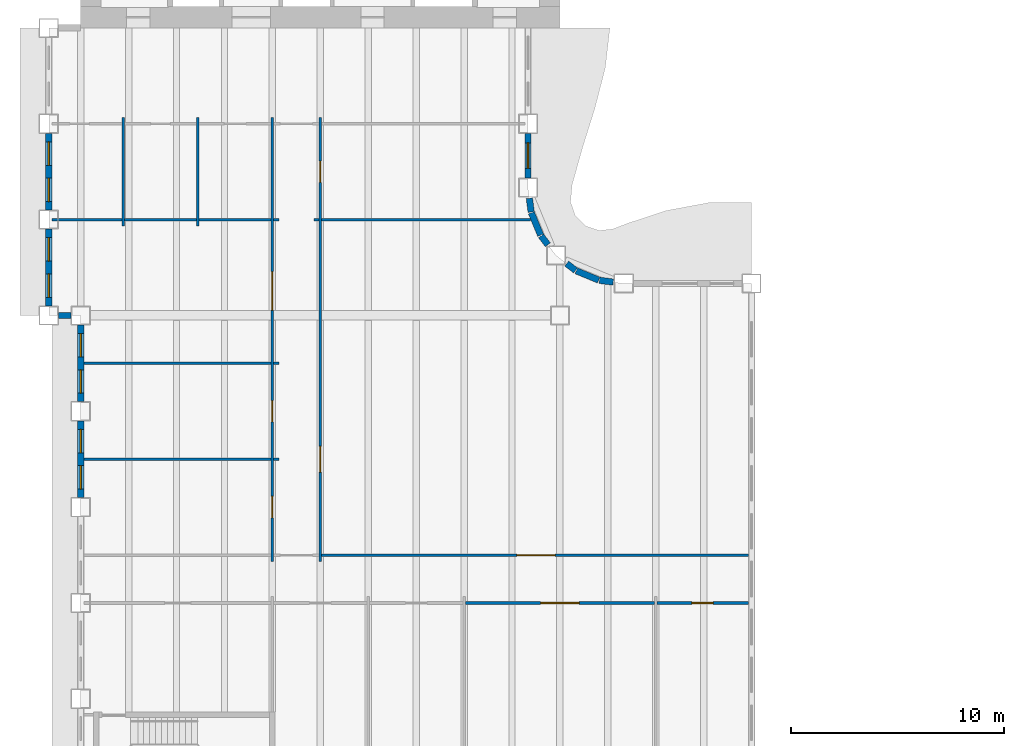
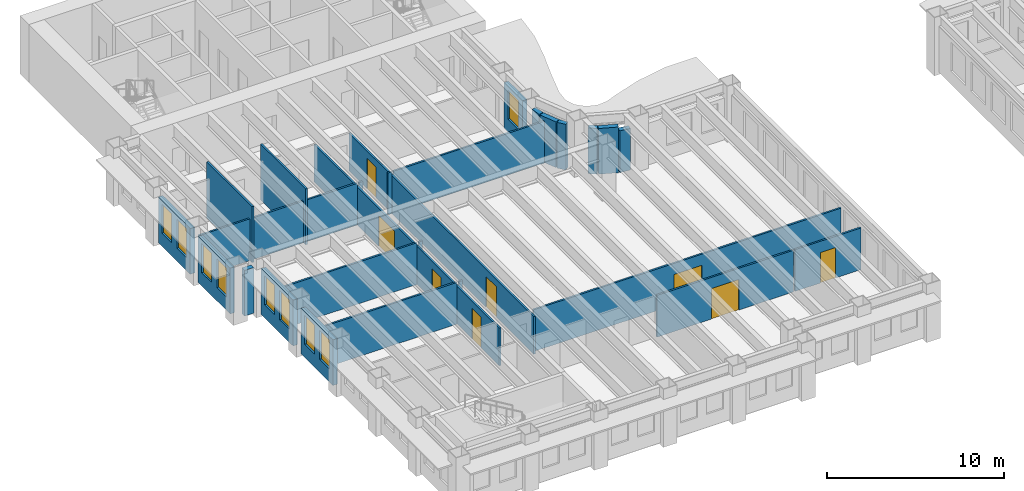
# One storey, part 4 of 13: 29 walls, 9 windows, 8 doors, 17 openings.
"""IFC4 building model written with IfcOpenShell, lengths in metres."""

from ifc_helpers import new_model, si_unit, direction, frame, frame_2d, origin, place, context, subcontext, project, spatial, rectangle, extrude, material, layer, layer_set, type_object, element, fill, save


model = new_model("IFC4")

# Units and contexts
model_context = context("Model", 3, precision=1e-05, world=origin(), true_north=direction((0.0, 1.0)))
body_context = subcontext(model_context, "Body", "Model", "MODEL_VIEW")
ifc_project = project(units=[si_unit("LENGTHUNIT", "METRE"), si_unit("AREAUNIT", "SQUARE_METRE"), si_unit("VOLUMEUNIT", "CUBIC_METRE"), si_unit("PLANEANGLEUNIT", "RADIAN"), si_unit("MASSUNIT", "GRAM", prefix="KILO")], contexts=[model_context])

# Site, building, storey
site_placement = place(None, origin())
site = spatial("IfcSite", under=ifc_project, at=site_placement, CompositionType="ELEMENT")
building_placement = place(site_placement, origin())
building = spatial("IfcBuilding", under=site, at=building_placement, Name="Sennacour Bend Tower", CompositionType="ELEMENT")
storey_placement = place(building_placement, frame((0.0, 0.0, 139.0)))
storey = spatial("IfcBuildingStorey", under=building, at=storey_placement, Name="L31", CompositionType="ELEMENT", Elevation=139.0)

# Walls
ifc_material_1 = material(Name="Plasterboard partition on steel studs", Category="steel")
ifc_layer_1 = layer(ifc_material_1, 0.1201171875, Name="Plasterboard partition on steel studs", Category="steel")
ifc_layer_set_1 = layer_set([ifc_layer_1], Name="Plasterboard partition on steel studs")
wall_type_1 = type_object("IfcWallType", Name="Partition 120", PredefinedType="PARTITIONING", material=ifc_layer_set_1)
for number, where, z_axis, x_axis, name in (
    (1, (2.0, 26.699951171875, 0.0), (0.0, 0.0, 1.0), (0.0, 1.0, 0.0), "P-L31-W004a"),
    (2, (5.5, 26.699951171875, 0.0), (0.0, 0.0, 1.0), (0.0, 1.0, 0.0), "P-L31-W008a"),
):
    element("IfcWall", number, at=place(storey_placement, frame(where, z_axis=z_axis, x_axis=x_axis)), inside=storey, type_object=wall_type_1, Name=name, PredefinedType="PARTITIONING", context=body_context, shape_type="SweptSolid", body=[
        extrude(rectangle(XDim=5.10009765625, YDim=0.1201171875, at=frame_2d((2.550048828125, 0.0))), origin(), (0.0, 0.0, 1.0), 3.85009765625),
    ])

# Wall, openings, doors
wall_1_placement = place(storey_placement, frame((9.0, 10.949951171875, 0.0), z_axis=(0.0, 0.0, 1.0), x_axis=(0.0, 1.0, 0.0)))
wall_1 = element("IfcWall", 3, at=wall_1_placement, inside=storey, type_object=wall_type_1, Name="P-L31-W013a", PredefinedType="PARTITIONING", context=body_context, shape_type="SweptSolid", body=[
    extrude(rectangle(XDim=20.85009765625, YDim=0.1201171875, at=frame_2d((10.425048828125, 0.0))), origin(), (0.0, 0.0, 1.0), 2.60009765625),
])
opening_1_placement = place(wall_1_placement, frame((2.050048828125, 0.0, 0.0)))
opening_1 = element("IfcOpeningElement", 4, at=opening_1_placement, cuts=wall_1, Name="Opening OD2", PredefinedType="OPENING", context=body_context, shape_type="SweptSolid", body=[
    extrude(rectangle(XDim=1.0, YDim=2.10009765625, at=frame_2d((0.5, 1.050048828125))), frame((0.0, 0.070068359375, 0.0), z_axis=(0.0, -1.0, 0.0), x_axis=(1.0, 0.0, 0.0)), (0.0, 0.0, 1.0), 0.14013671875),
])
opening_2_placement = place(wall_1_placement, frame((6.550048828125, 0.0, 0.0)))
opening_2 = element("IfcOpeningElement", 5, at=opening_2_placement, cuts=wall_1, Name="Opening OD2", PredefinedType="OPENING", context=body_context, shape_type="SweptSolid", body=[
    extrude(rectangle(XDim=1.0, YDim=2.10009765625, at=frame_2d((0.5, 1.050048828125))), frame((0.0, 0.070068359375, 0.0), z_axis=(0.0, -1.0, 0.0), x_axis=(1.0, 0.0, 0.0)), (0.0, 0.0, 1.0), 0.14013671875),
])
opening_3_placement = place(wall_1_placement, frame((11.804931640625, 0.0, 0.0)))
opening_3 = element("IfcOpeningElement", 6, at=opening_3_placement, cuts=wall_1, Name="Opening OD3", PredefinedType="OPENING", context=body_context, shape_type="SweptSolid", body=[
    extrude(rectangle(XDim=1.800048828125, YDim=2.10009765625, at=frame_2d((0.89990234375, 1.050048828125))), frame((0.0, 0.070068359375, 0.0), z_axis=(0.0, -1.0, 0.0), x_axis=(1.0, 0.0, 0.0)), (0.0, 0.0, 1.0), 0.14013671875),
])
ifc_material_2 = material(Name="Timber", Category="wood")
door_type_1 = type_object("IfcDoorType", Name="DR-OFFICE-1000", OperationType="NOTDEFINED", PredefinedType="DOOR", material=ifc_material_2)
door_1_placement = place(opening_1_placement, origin())
door_1 = element("IfcDoor", 7, at=door_1_placement, inside=storey, type_object=door_type_1, Name="Door", OperationType="SINGLE_SWING_LEFT", OverallHeight=2.10009765625, OverallWidth=1.0, PredefinedType="DOOR", context=body_context, shape_type="SweptSolid", body=[
    extrude(rectangle(XDim=1.0, YDim=2.10009765625, at=frame_2d((0.5, 1.050048828125))), frame((0.0, 0.02490234375, 0.0), z_axis=(0.0, -1.0, 0.0), x_axis=(1.0, 0.0, 0.0)), (0.0, 0.0, 1.0), 0.050048828125),
])
fill(opening_1, door_1)
door_2_placement = place(opening_2_placement, origin())
door_2 = element("IfcDoor", 8, at=door_2_placement, inside=storey, type_object=door_type_1, Name="Door", OperationType="SINGLE_SWING_LEFT", OverallHeight=2.10009765625, OverallWidth=1.0, PredefinedType="DOOR", context=body_context, shape_type="SweptSolid", body=[
    extrude(rectangle(XDim=1.0, YDim=2.10009765625, at=frame_2d((0.5, 1.050048828125))), frame((0.0, 0.02490234375, 0.0), z_axis=(0.0, -1.0, 0.0), x_axis=(1.0, 0.0, 0.0)), (0.0, 0.0, 1.0), 0.050048828125),
])
fill(opening_2, door_2)
door_type_2 = type_object("IfcDoorType", Name="DR-OFFICE-1800", OperationType="NOTDEFINED", PredefinedType="DOOR", material=ifc_material_2)
door_3_placement = place(opening_3_placement, origin())
door_3 = element("IfcDoor", 9, at=door_3_placement, inside=storey, type_object=door_type_2, Name="Door", OperationType="DOUBLE_DOOR_SINGLE_SWING", OverallHeight=2.10009765625, OverallWidth=1.800048828125, PredefinedType="DOOR", context=body_context, shape_type="SweptSolid", body=[
    extrude(rectangle(XDim=1.800048828125, YDim=2.10009765625, at=frame_2d((0.89990234375, 1.050048828125))), frame((0.0, 0.02490234375, 0.0), z_axis=(0.0, -1.0, 0.0), x_axis=(1.0, 0.0, 0.0)), (0.0, 0.0, 1.0), 0.050048828125),
])
fill(opening_3, door_3)

wall_2_placement = place(storey_placement, frame((11.25, 10.949951171875, 0.0), z_axis=(0.0, 0.0, 1.0), x_axis=(0.0, 1.0, 0.0)))
wall_2 = element("IfcWall", 10, at=wall_2_placement, inside=storey, type_object=wall_type_1, Name="P-L31-W015a", PredefinedType="PARTITIONING", context=body_context, shape_type="SweptSolid", body=[
    extrude(rectangle(XDim=20.85009765625, YDim=0.1201171875, at=frame_2d((10.425048828125, 0.0))), origin(), (0.0, 0.0, 1.0), 2.60009765625),
])
opening_4_placement = place(wall_2_placement, frame((17.800048828125, 0.0, 0.0)))
opening_4 = element("IfcOpeningElement", 11, at=opening_4_placement, cuts=wall_2, Name="Opening OD2", PredefinedType="OPENING", context=body_context, shape_type="SweptSolid", body=[
    extrude(rectangle(XDim=1.0, YDim=2.10009765625, at=frame_2d((0.5, 1.050048828125))), frame((0.0, 0.070068359375, 0.0), z_axis=(0.0, -1.0, 0.0), x_axis=(1.0, 0.0, 0.0)), (0.0, 0.0, 1.0), 0.14013671875),
])
opening_5_placement = place(wall_2_placement, frame((4.199951171875, 0.0, 0.0)))
opening_5 = element("IfcOpeningElement", 12, at=opening_5_placement, cuts=wall_2, Name="Opening OD", PredefinedType="OPENING", context=body_context, shape_type="SweptSolid", body=[
    extrude(rectangle(XDim=1.199951171875, YDim=2.10009765625, at=frame_2d((0.60009765625, 1.050048828125))), frame((0.0, 0.070068359375, 0.0), z_axis=(0.0, -1.0, 0.0), x_axis=(1.0, 0.0, 0.0)), (0.0, 0.0, 1.0), 0.14013671875),
])
door_4_placement = place(opening_4_placement, origin())
door_4 = element("IfcDoor", 13, at=door_4_placement, inside=storey, type_object=door_type_1, Name="Door", OperationType="SINGLE_SWING_RIGHT", OverallHeight=2.10009765625, OverallWidth=1.0, PredefinedType="DOOR", context=body_context, shape_type="SweptSolid", body=[
    extrude(rectangle(XDim=1.0, YDim=2.10009765625, at=frame_2d((0.5, 1.050048828125))), frame((0.0, 0.02490234375, 0.0), z_axis=(0.0, -1.0, 0.0), x_axis=(1.0, 0.0, 0.0)), (0.0, 0.0, 1.0), 0.050048828125),
])
fill(opening_4, door_4)
door_type_3 = type_object("IfcDoorType", Name="DR-OFFICE-1200", OperationType="NOTDEFINED", PredefinedType="DOOR", material=ifc_material_2)
door_5_placement = place(opening_5_placement, origin())
door_5 = element("IfcDoor", 14, at=door_5_placement, inside=storey, type_object=door_type_3, Name="Door", OperationType="SINGLE_SWING_LEFT", OverallHeight=2.10009765625, OverallWidth=1.199951171875, PredefinedType="DOOR", context=body_context, shape_type="SweptSolid", body=[
    extrude(rectangle(XDim=1.199951171875, YDim=2.10009765625, at=frame_2d((0.60009765625, 1.050048828125))), frame((0.0, 0.02490234375, 0.0), z_axis=(0.0, -1.0, 0.0), x_axis=(1.0, 0.0, 0.0)), (0.0, 0.0, 1.0), 0.050048828125),
])
fill(opening_5, door_5)

# Wall, opening, door
wall_3_placement = place(storey_placement, frame((18.06005859375, 9.0, 0.0), z_axis=(0.0, 0.0, 1.0), x_axis=(1.0, 0.0, 0.0)))
wall_3 = element("IfcWall", 15, at=wall_3_placement, inside=storey, type_object=wall_type_1, Name="P-L31-W053ad", PredefinedType="PARTITIONING", context=body_context, shape_type="SweptSolid", body=[
    extrude(rectangle(XDim=8.8798828125, YDim=0.1201171875, at=frame_2d((4.43994140625, 0.0))), origin(), (0.0, 0.0, 1.0), 2.8701171875),
])
opening_6_placement = place(wall_3_placement, frame((3.539794921875, 0.0, 0.0)))
opening_6 = element("IfcOpeningElement", 16, at=opening_6_placement, cuts=wall_3, Name="Opening OD3", PredefinedType="OPENING", context=body_context, shape_type="SweptSolid", body=[
    extrude(rectangle(XDim=1.800048828125, YDim=2.10009765625, at=frame_2d((0.89990234375, 1.050048828125))), frame((0.0, 0.070068359375, 0.0), z_axis=(0.0, -1.0, 0.0), x_axis=(1.0, 0.0, 0.0)), (0.0, 0.0, 1.0), 0.14013671875),
])
door_6_placement = place(opening_6_placement, origin())
door_6 = element("IfcDoor", 17, at=door_6_placement, inside=storey, type_object=door_type_2, Name="Door", OperationType="DOUBLE_DOOR_SINGLE_SWING", OverallHeight=2.10009765625, OverallWidth=1.800048828125, PredefinedType="DOOR", context=body_context, shape_type="SweptSolid", body=[
    extrude(rectangle(XDim=1.800048828125, YDim=2.10009765625, at=frame_2d((0.89990234375, 1.050048828125))), frame((0.0, 0.02490234375, 0.0), z_axis=(0.0, -1.0, 0.0), x_axis=(1.0, 0.0, 0.0)), (0.0, 0.0, 1.0), 0.050048828125),
])
fill(opening_6, door_6)

wall_4_placement = place(storey_placement, frame((27.06005859375, 9.0, 0.0), z_axis=(0.0, 0.0, 1.0), x_axis=(1.0, 0.0, 0.0)))
wall_4 = element("IfcWall", 18, at=wall_4_placement, inside=storey, type_object=wall_type_1, Name="P-L31-W053ae", PredefinedType="PARTITIONING", context=body_context, shape_type="SweptSolid", body=[
    extrude(rectangle(XDim=4.2900390625, YDim=0.1201171875, at=frame_2d((2.14501953125, 0.0))), origin(), (0.0, 0.0, 1.0), 2.8701171875),
])
opening_7_placement = place(wall_4_placement, frame((1.635009765625, 0.0, 0.0)))
opening_7 = element("IfcOpeningElement", 19, at=opening_7_placement, cuts=wall_4, Name="Opening OD2", PredefinedType="OPENING", context=body_context, shape_type="SweptSolid", body=[
    extrude(rectangle(XDim=1.0, YDim=2.10009765625, at=frame_2d((0.5, 1.050048828125))), frame((0.0, 0.070068359375, 0.0), z_axis=(0.0, -1.0, 0.0), x_axis=(1.0, 0.0, 0.0)), (0.0, 0.0, 1.0), 0.14013671875),
])
door_7_placement = place(opening_7_placement, origin())
door_7 = element("IfcDoor", 20, at=door_7_placement, inside=storey, type_object=door_type_1, Name="Door", OperationType="SINGLE_SWING_LEFT", OverallHeight=2.10009765625, OverallWidth=1.0, PredefinedType="DOOR", context=body_context, shape_type="SweptSolid", body=[
    extrude(rectangle(XDim=1.0, YDim=2.10009765625, at=frame_2d((0.5, 1.050048828125))), frame((0.0, 0.02490234375, 0.0), z_axis=(0.0, -1.0, 0.0), x_axis=(1.0, 0.0, 0.0)), (0.0, 0.0, 1.0), 0.050048828125),
])
fill(opening_7, door_7)

wall_5_placement = place(storey_placement, frame((11.31005859375, 11.25, 0.0), z_axis=(0.0, 0.0, 1.0), x_axis=(1.0, 0.0, 0.0)))
wall_5 = element("IfcWall", 21, at=wall_5_placement, inside=storey, type_object=wall_type_1, Name="P-L31-W056ac", PredefinedType="PARTITIONING", context=body_context, shape_type="SweptSolid", body=[
    extrude(rectangle(XDim=20.0400390625, YDim=0.1201171875, at=frame_2d((10.02001953125, 0.0))), origin(), (0.0, 0.0, 1.0), 2.8701171875),
])
opening_8_placement = place(wall_5_placement, frame((9.164794921875, 0.0, 0.0)))
opening_8 = element("IfcOpeningElement", 22, at=opening_8_placement, cuts=wall_5, Name="Opening OD3", PredefinedType="OPENING", context=body_context, shape_type="SweptSolid", body=[
    extrude(rectangle(XDim=1.800048828125, YDim=2.10009765625, at=frame_2d((0.89990234375, 1.050048828125))), frame((0.0, 0.070068359375, 0.0), z_axis=(0.0, -1.0, 0.0), x_axis=(1.0, 0.0, 0.0)), (0.0, 0.0, 1.0), 0.14013671875),
])
door_8_placement = place(opening_8_placement, origin())
door_8 = element("IfcDoor", 23, at=door_8_placement, inside=storey, type_object=door_type_2, Name="Door", OperationType="DOUBLE_DOOR_SINGLE_SWING", OverallHeight=2.10009765625, OverallWidth=1.800048828125, PredefinedType="DOOR", context=body_context, shape_type="SweptSolid", body=[
    extrude(rectangle(XDim=1.800048828125, YDim=2.10009765625, at=frame_2d((0.89990234375, 1.050048828125))), frame((0.0, 0.02490234375, 0.0), z_axis=(0.0, -1.0, 0.0), x_axis=(1.0, 0.0, 0.0)), (0.0, 0.0, 1.0), 0.050048828125),
])
fill(opening_8, door_8)

# Walls
wall_6_placement = place(storey_placement, frame((0.14990234375, 15.75, 0.0), z_axis=(0.0, 0.0, 1.0), x_axis=(1.0, 0.0, 0.0)))
element("IfcWall", 24, at=wall_6_placement, inside=storey, type_object=wall_type_1, Name="P-L31-W059aa", PredefinedType="PARTITIONING", context=body_context, shape_type="SweptSolid", body=[
    extrude(rectangle(XDim=8.7900390625, YDim=0.1201171875, at=frame_2d((4.39501953125, 0.0))), origin(), (0.0, 0.0, 1.0), 2.8701171875),
])
wall_7_placement = place(storey_placement, frame((9.06005859375, 15.75, 0.0), z_axis=(0.0, 0.0, 1.0), x_axis=(1.0, 0.0, 0.0)))
element("IfcWall", 25, at=wall_7_placement, inside=storey, type_object=wall_type_1, Name="P-L31-W059ab", PredefinedType="PARTITIONING", context=body_context, shape_type="SweptSolid", body=[
    extrude(rectangle(XDim=0.239990234375, YDim=0.1201171875, at=frame_2d((0.1201171875, 0.0))), origin(), (0.0, 0.0, 1.0), 2.8701171875),
])
wall_8_placement = place(storey_placement, frame((0.14990234375, 20.25, 0.0), z_axis=(0.0, 0.0, 1.0), x_axis=(1.0, 0.0, 0.0)))
element("IfcWall", 26, at=wall_8_placement, inside=storey, type_object=wall_type_1, Name="P-L31-W063aa", PredefinedType="PARTITIONING", context=body_context, shape_type="SweptSolid", body=[
    extrude(rectangle(XDim=8.7900390625, YDim=0.1201171875, at=frame_2d((4.39501953125, 0.0))), origin(), (0.0, 0.0, 1.0), 2.8701171875),
])
wall_9_placement = place(storey_placement, frame((9.06005859375, 20.25, 0.0), z_axis=(0.0, 0.0, 1.0), x_axis=(1.0, 0.0, 0.0)))
element("IfcWall", 27, at=wall_9_placement, inside=storey, type_object=wall_type_1, Name="P-L31-W063ab", PredefinedType="PARTITIONING", context=body_context, shape_type="SweptSolid", body=[
    extrude(rectangle(XDim=0.239990234375, YDim=0.1201171875, at=frame_2d((0.1201171875, 0.0))), origin(), (0.0, 0.0, 1.0), 2.8701171875),
])
wall_10_placement = place(storey_placement, frame((-1.35009765625, 27.0, 0.0), z_axis=(0.0, 0.0, 1.0), x_axis=(1.0, 0.0, 0.0)))
element("IfcWall", 28, at=wall_10_placement, inside=storey, type_object=wall_type_1, Name="P-L31-W067aa", PredefinedType="PARTITIONING", context=body_context, shape_type="SweptSolid", body=[
    extrude(rectangle(XDim=3.2900390625, YDim=0.1201171875, at=frame_2d((1.64501953125, 0.0))), origin(), (0.0, 0.0, 1.0), 2.8701171875),
])
for number, where, z_axis, x_axis, name in (
    (29, (2.06005859375, 27.0, 0.0), (0.0, 0.0, 1.0), (1.0, 0.0, 0.0), "P-L31-W067ab"),
    (30, (5.56005859375, 27.0, 0.0), (0.0, 0.0, 1.0), (1.0, 0.0, 0.0), "P-L31-W067ac"),
):
    element("IfcWall", number, at=place(storey_placement, frame(where, z_axis=z_axis, x_axis=x_axis)), inside=storey, type_object=wall_type_1, Name=name, PredefinedType="PARTITIONING", context=body_context, shape_type="SweptSolid", body=[
        extrude(rectangle(XDim=3.3798828125, YDim=0.1201171875, at=frame_2d((1.68994140625, 0.0))), origin(), (0.0, 0.0, 1.0), 2.8701171875),
    ])
for number, where, z_axis, x_axis, name in (
    (31, (9.06005859375, 27.0, 0.0), (0.0, 0.0, 1.0), (1.0, 0.0, 0.0), "P-L31-W067ad"),
    (32, (10.949951171875, 27.0, 0.0), (0.0, 0.0, 1.0), (1.0, 0.0, 0.0), "P-L31-W068aa"),
):
    element("IfcWall", number, at=place(storey_placement, frame(where, z_axis=z_axis, x_axis=x_axis)), inside=storey, type_object=wall_type_1, Name=name, PredefinedType="PARTITIONING", context=body_context, shape_type="SweptSolid", body=[
        extrude(rectangle(XDim=0.239990234375, YDim=0.1201171875, at=frame_2d((0.1201171875, 0.0))), origin(), (0.0, 0.0, 1.0), 2.8701171875),
    ])
wall_11_placement = place(storey_placement, frame((11.31005859375, 27.0, 0.0), z_axis=(0.0, 0.0, 1.0), x_axis=(1.0, 0.0, 0.0)))
element("IfcWall", 33, at=wall_11_placement, inside=storey, type_object=wall_type_1, Name="P-L31-W068ab", PredefinedType="PARTITIONING", context=body_context, shape_type="SweptSolid", body=[
    extrude(rectangle(XDim=9.81982421875, YDim=0.1201171875, at=frame_2d((4.909912109375, 0.0))), origin(), (0.0, 0.0, 1.0), 2.8701171875),
])
ifc_material_3 = material(Name="Warm limestone cladding", Category="masonry")
ifc_layer_2 = layer(ifc_material_3, 0.050048828125, Name="Warm limestone cladding", Category="masonry")
ifc_material_4 = material(Name="Precast concrete C40/50", Category="concrete")
ifc_layer_3 = layer(ifc_material_4, 0.25, Name="Precast concrete C40/50", Category="concrete")
ifc_layer_set_2 = layer_set([ifc_layer_2, ifc_layer_3], Name="Precast concrete C40/50 with limestone cladding")
wall_type_2 = type_object("IfcWallType", Name="STONE-CLAD PRECAST SPANDREL 300", PredefinedType="STANDARD", material=ifc_layer_set_2)
wall_12_placement = place(storey_placement, frame((24.99951171875, 24.06591796875, 0.0), z_axis=(0.0, 0.0, 1.0), x_axis=(-0.991423590996, 0.130687655177, 0.0)))
element("IfcWall", 34, at=wall_12_placement, inside=storey, type_object=wall_type_2, Name="Stone spandrel and pier wall L31 09.00", PredefinedType="STANDARD", context=body_context, shape_type="SweptSolid", body=[
    extrude(rectangle(XDim=0.650146484375, YDim=0.300048828125, at=frame_2d((0.3251953125, 0.0))), origin(), (0.0, 0.0, 1.0), 2.8701171875),
])
wall_13_placement = place(storey_placement, frame((24.317138671875, 24.160888671875, 0.0), z_axis=(0.0, 0.0, 1.0), x_axis=(-0.923914616768, 0.382598720491, 0.0)))
element("IfcWall", 35, at=wall_13_placement, inside=storey, type_object=wall_type_2, Name="Stone spandrel and pier wall L31 10.00", PredefinedType="STANDARD", context=body_context, shape_type="SweptSolid", body=[
    extrude(rectangle(XDim=1.13525390625, YDim=0.300048828125, at=frame_2d((0.567626953125, 0.0))), origin(), (0.0, 0.0, 1.0), 3.14892578125),
])
for number, where, z_axis, x_axis, name in (
    (36, (23.234375, 24.614990234375, 0.0), (0.0, 0.0, 1.0), (-0.793523857856, 0.608539141726, 0.0), "Stone spandrel and pier wall L31 11.00"),
    (37, (21.933837890625, 25.818603515625, 0.0), (0.0, 0.0, 1.0), (-0.608539141726, 0.793523857856, 0.0), "Stone spandrel and pier wall L31 12.00"),
):
    element("IfcWall", number, at=place(storey_placement, frame(where, z_axis=z_axis, x_axis=x_axis)), inside=storey, type_object=wall_type_2, Name=name, PredefinedType="STANDARD", context=body_context, shape_type="SweptSolid", body=[
        extrude(rectangle(XDim=0.52392578125, YDim=0.300048828125, at=frame_2d((0.261962890625, 0.0))), origin(), (0.0, 0.0, 1.0), 3.14892578125),
    ])
wall_14_placement = place(storey_placement, frame((21.59521484375, 26.268310546875, 0.0), z_axis=(0.0, 0.0, 1.0), x_axis=(-0.382598720491, 0.923914616768, 0.0)))
element("IfcWall", 38, at=wall_14_placement, inside=storey, type_object=wall_type_2, Name="Stone spandrel and pier wall L31 13.00", PredefinedType="STANDARD", context=body_context, shape_type="SweptSolid", body=[
    extrude(rectangle(XDim=1.13525390625, YDim=0.300048828125, at=frame_2d((0.567626953125, 0.0))), origin(), (0.0, 0.0, 1.0), 3.14892578125),
])
wall_15_placement = place(storey_placement, frame((21.15087890625, 27.35498046875, 0.0), z_axis=(0.0, 0.0, 1.0), x_axis=(-0.130687655177, 0.991423590996, 0.0)))
element("IfcWall", 39, at=wall_15_placement, inside=storey, type_object=wall_type_2, Name="Stone spandrel and pier wall L31 14.00", PredefinedType="STANDARD", context=body_context, shape_type="SweptSolid", body=[
    extrude(rectangle(XDim=0.650146484375, YDim=0.300048828125, at=frame_2d((0.3251953125, 0.0))), origin(), (0.0, 0.0, 1.0), 3.14892578125),
])

# Wall, opening, window
wall_16_placement = place(storey_placement, frame((21.0, 28.949951171875, 0.0), z_axis=(0.0, 0.0, 1.0), x_axis=(0.0, 1.0, 0.0)))
wall_16 = element("IfcWall", 40, at=wall_16_placement, inside=storey, type_object=wall_type_2, Name="Stone spandrel and pier wall L31 15.00", PredefinedType="STANDARD", context=body_context, shape_type="SweptSolid", body=[
    extrude(rectangle(XDim=2.10009765625, YDim=0.300048828125, at=frame_2d((1.050048828125, 0.0))), origin(), (0.0, 0.0, 1.0), 3.14892578125),
])
opening_9_placement = place(wall_16_placement, frame((0.449951171875, 0.0, 0.89990234375)))
opening_9 = element("IfcOpeningElement", 41, at=opening_9_placement, cuts=wall_16, Name="Opening W14", PredefinedType="OPENING", context=body_context, shape_type="SweptSolid", body=[
    extrude(rectangle(XDim=1.199951171875, YDim=2.0, at=frame_2d((0.60009765625, 1.0))), frame((0.0, 0.16015625, 0.0), z_axis=(0.0, -1.0, 0.0), x_axis=(1.0, 0.0, 0.0)), (0.0, 0.0, 1.0), 0.320068359375),
])
ifc_material_5 = material(Name="Clear low-emissivity glass", Category="glass")
window_type_1 = type_object("IfcWindowType", Name="WIN-RIBBON-1200x2000", PartitioningType="SINGLE_PANEL", PredefinedType="WINDOW", material=ifc_material_5)
window_1_placement = place(opening_9_placement, origin())
window_1 = element("IfcWindow", 42, at=window_1_placement, inside=storey, type_object=window_type_1, Name="Ribbon window L31 15.00", OverallHeight=2.0, OverallWidth=1.199951171875, PartitioningType="SINGLE_PANEL", PredefinedType="WINDOW", context=body_context, shape_type="SweptSolid", body=[
    extrude(rectangle(XDim=1.199951171875, YDim=2.0, at=frame_2d((0.60009765625, 1.0))), frame((0.0, 0.030029296875, 0.0), z_axis=(0.0, -1.0, 0.0), x_axis=(1.0, 0.0, 0.0)), (0.0, 0.0, 1.0), 0.06005859375),
])
fill(opening_9, window_1)

# Wall, openings, windows
wall_17_placement = place(storey_placement, frame((-1.5, 31.050048828125, 0.0), z_axis=(0.0, 0.0, 1.0), x_axis=(0.0, -1.0, 0.0)))
wall_17 = element("IfcWall", 43, at=wall_17_placement, inside=storey, type_object=wall_type_2, Name="Stone spandrel and pier wall L31 21.01", PredefinedType="STANDARD", context=body_context, shape_type="SweptSolid", body=[
    extrude(rectangle(XDim=3.60009765625, YDim=0.300048828125, at=frame_2d((1.800048828125, 0.0))), origin(), (0.0, 0.0, 1.0), 3.14892578125),
])
opening_10_placement = place(wall_17_placement, frame((0.39990234375, 0.0, 0.89990234375)))
opening_10 = element("IfcOpeningElement", 44, at=opening_10_placement, cuts=wall_17, Name="Opening W19", PredefinedType="OPENING", context=body_context, shape_type="SweptSolid", body=[
    extrude(rectangle(XDim=1.10009765625, YDim=2.0, at=frame_2d((0.550048828125, 1.0))), frame((0.0, 0.16015625, 0.0), z_axis=(0.0, -1.0, 0.0), x_axis=(1.0, 0.0, 0.0)), (0.0, 0.0, 1.0), 0.320068359375),
])
opening_11_placement = place(wall_17_placement, frame((2.10009765625, 0.0, 0.89990234375)))
opening_11 = element("IfcOpeningElement", 45, at=opening_11_placement, cuts=wall_17, Name="Opening W19", PredefinedType="OPENING", context=body_context, shape_type="SweptSolid", body=[
    extrude(rectangle(XDim=1.10009765625, YDim=2.0, at=frame_2d((0.550048828125, 1.0))), frame((0.0, 0.16015625, 0.0), z_axis=(0.0, -1.0, 0.0), x_axis=(1.0, 0.0, 0.0)), (0.0, 0.0, 1.0), 0.320068359375),
])
window_type_2 = type_object("IfcWindowType", Name="WIN-RIBBON-1100x2000", PartitioningType="SINGLE_PANEL", PredefinedType="WINDOW", material=ifc_material_5)
window_2_placement = place(opening_10_placement, origin())
window_2 = element("IfcWindow", 46, at=window_2_placement, inside=storey, type_object=window_type_2, Name="Ribbon window L31 21.01.0", OverallHeight=2.0, OverallWidth=1.10009765625, PartitioningType="SINGLE_PANEL", PredefinedType="WINDOW", context=body_context, shape_type="SweptSolid", body=[
    extrude(rectangle(XDim=1.10009765625, YDim=2.0, at=frame_2d((0.550048828125, 1.0))), frame((0.0, 0.030029296875, 0.0), z_axis=(0.0, -1.0, 0.0), x_axis=(1.0, 0.0, 0.0)), (0.0, 0.0, 1.0), 0.06005859375),
])
fill(opening_10, window_2)
window_3_placement = place(opening_11_placement, origin())
window_3 = element("IfcWindow", 47, at=window_3_placement, inside=storey, type_object=window_type_2, Name="Ribbon window L31 21.01.1", OverallHeight=2.0, OverallWidth=1.10009765625, PartitioningType="SINGLE_PANEL", PredefinedType="WINDOW", context=body_context, shape_type="SweptSolid", body=[
    extrude(rectangle(XDim=1.10009765625, YDim=2.0, at=frame_2d((0.550048828125, 1.0))), frame((0.0, 0.030029296875, 0.0), z_axis=(0.0, -1.0, 0.0), x_axis=(1.0, 0.0, 0.0)), (0.0, 0.0, 1.0), 0.06005859375),
])
fill(opening_11, window_3)

wall_18_placement = place(storey_placement, frame((-1.5, 26.550048828125, 0.0), z_axis=(0.0, 0.0, 1.0), x_axis=(0.0, -1.0, 0.0)))
wall_18 = element("IfcWall", 48, at=wall_18_placement, inside=storey, type_object=wall_type_2, Name="Stone spandrel and pier wall L31 21.02", PredefinedType="STANDARD", context=body_context, shape_type="SweptSolid", body=[
    extrude(rectangle(XDim=3.60009765625, YDim=0.300048828125, at=frame_2d((1.800048828125, 0.0))), origin(), (0.0, 0.0, 1.0), 3.14892578125),
])
opening_12_placement = place(wall_18_placement, frame((0.39990234375, 0.0, 0.89990234375)))
opening_12 = element("IfcOpeningElement", 49, at=opening_12_placement, cuts=wall_18, Name="Opening W19", PredefinedType="OPENING", context=body_context, shape_type="SweptSolid", body=[
    extrude(rectangle(XDim=1.10009765625, YDim=2.0, at=frame_2d((0.550048828125, 1.0))), frame((0.0, 0.16015625, 0.0), z_axis=(0.0, -1.0, 0.0), x_axis=(1.0, 0.0, 0.0)), (0.0, 0.0, 1.0), 0.320068359375),
])
opening_13_placement = place(wall_18_placement, frame((2.10009765625, 0.0, 0.89990234375)))
opening_13 = element("IfcOpeningElement", 50, at=opening_13_placement, cuts=wall_18, Name="Opening W19", PredefinedType="OPENING", context=body_context, shape_type="SweptSolid", body=[
    extrude(rectangle(XDim=1.10009765625, YDim=2.0, at=frame_2d((0.550048828125, 1.0))), frame((0.0, 0.16015625, 0.0), z_axis=(0.0, -1.0, 0.0), x_axis=(1.0, 0.0, 0.0)), (0.0, 0.0, 1.0), 0.320068359375),
])
window_4_placement = place(opening_12_placement, origin())
window_4 = element("IfcWindow", 51, at=window_4_placement, inside=storey, type_object=window_type_2, Name="Ribbon window L31 21.02.0", OverallHeight=2.0, OverallWidth=1.10009765625, PartitioningType="SINGLE_PANEL", PredefinedType="WINDOW", context=body_context, shape_type="SweptSolid", body=[
    extrude(rectangle(XDim=1.10009765625, YDim=2.0, at=frame_2d((0.550048828125, 1.0))), frame((0.0, 0.030029296875, 0.0), z_axis=(0.0, -1.0, 0.0), x_axis=(1.0, 0.0, 0.0)), (0.0, 0.0, 1.0), 0.06005859375),
])
fill(opening_12, window_4)
window_5_placement = place(opening_13_placement, origin())
window_5 = element("IfcWindow", 52, at=window_5_placement, inside=storey, type_object=window_type_2, Name="Ribbon window L31 21.02.1", OverallHeight=2.0, OverallWidth=1.10009765625, PartitioningType="SINGLE_PANEL", PredefinedType="WINDOW", context=body_context, shape_type="SweptSolid", body=[
    extrude(rectangle(XDim=1.10009765625, YDim=2.0, at=frame_2d((0.550048828125, 1.0))), frame((0.0, 0.030029296875, 0.0), z_axis=(0.0, -1.0, 0.0), x_axis=(1.0, 0.0, 0.0)), (0.0, 0.0, 1.0), 0.06005859375),
])
fill(opening_13, window_5)

# Wall
wall_19_placement = place(storey_placement, frame((-1.050048828125, 22.5, 0.0), z_axis=(0.0, 0.0, 1.0), x_axis=(1.0, 0.0, 0.0)))
element("IfcWall", 53, at=wall_19_placement, inside=storey, type_object=wall_type_2, Name="Stone spandrel and pier wall L31 22.00", PredefinedType="STANDARD", context=body_context, shape_type="SweptSolid", body=[
    extrude(rectangle(XDim=0.60009765625, YDim=0.300048828125, at=frame_2d((0.300048828125, 0.0))), origin(), (0.0, 0.0, 1.0), 3.14892578125),
])

# Wall, openings, windows
wall_20_placement = place(storey_placement, frame((0.0, 22.050048828125, 0.0), z_axis=(0.0, 0.0, 1.0), x_axis=(0.0, -1.0, 0.0)))
wall_20 = element("IfcWall", 54, at=wall_20_placement, inside=storey, type_object=wall_type_2, Name="Stone spandrel and pier wall L31 23.00", PredefinedType="STANDARD", context=body_context, shape_type="SweptSolid", body=[
    extrude(rectangle(XDim=3.60009765625, YDim=0.300048828125, at=frame_2d((1.800048828125, 0.0))), origin(), (0.0, 0.0, 1.0), 3.14892578125),
])
opening_14_placement = place(wall_20_placement, frame((0.39990234375, 0.0, 0.89990234375)))
opening_14 = element("IfcOpeningElement", 55, at=opening_14_placement, cuts=wall_20, Name="Opening W19", PredefinedType="OPENING", context=body_context, shape_type="SweptSolid", body=[
    extrude(rectangle(XDim=1.10009765625, YDim=2.0, at=frame_2d((0.550048828125, 1.0))), frame((0.0, 0.16015625, 0.0), z_axis=(0.0, -1.0, 0.0), x_axis=(1.0, 0.0, 0.0)), (0.0, 0.0, 1.0), 0.320068359375),
])
opening_15_placement = place(wall_20_placement, frame((2.10009765625, 0.0, 0.89990234375)))
opening_15 = element("IfcOpeningElement", 56, at=opening_15_placement, cuts=wall_20, Name="Opening W19", PredefinedType="OPENING", context=body_context, shape_type="SweptSolid", body=[
    extrude(rectangle(XDim=1.10009765625, YDim=2.0, at=frame_2d((0.550048828125, 1.0))), frame((0.0, 0.16015625, 0.0), z_axis=(0.0, -1.0, 0.0), x_axis=(1.0, 0.0, 0.0)), (0.0, 0.0, 1.0), 0.320068359375),
])
window_6_placement = place(opening_14_placement, origin())
window_6 = element("IfcWindow", 57, at=window_6_placement, inside=storey, type_object=window_type_2, Name="Ribbon window L31 23.00.0", OverallHeight=2.0, OverallWidth=1.10009765625, PartitioningType="SINGLE_PANEL", PredefinedType="WINDOW", context=body_context, shape_type="SweptSolid", body=[
    extrude(rectangle(XDim=1.10009765625, YDim=2.0, at=frame_2d((0.550048828125, 1.0))), frame((0.0, 0.030029296875, 0.0), z_axis=(0.0, -1.0, 0.0), x_axis=(1.0, 0.0, 0.0)), (0.0, 0.0, 1.0), 0.06005859375),
])
fill(opening_14, window_6)
window_7_placement = place(opening_15_placement, origin())
window_7 = element("IfcWindow", 58, at=window_7_placement, inside=storey, type_object=window_type_2, Name="Ribbon window L31 23.00.1", OverallHeight=2.0, OverallWidth=1.10009765625, PartitioningType="SINGLE_PANEL", PredefinedType="WINDOW", context=body_context, shape_type="SweptSolid", body=[
    extrude(rectangle(XDim=1.10009765625, YDim=2.0, at=frame_2d((0.550048828125, 1.0))), frame((0.0, 0.030029296875, 0.0), z_axis=(0.0, -1.0, 0.0), x_axis=(1.0, 0.0, 0.0)), (0.0, 0.0, 1.0), 0.06005859375),
])
fill(opening_15, window_7)

wall_21_placement = place(storey_placement, frame((0.0, 17.550048828125, 0.0), z_axis=(0.0, 0.0, 1.0), x_axis=(0.0, -1.0, 0.0)))
wall_21 = element("IfcWall", 59, at=wall_21_placement, inside=storey, type_object=wall_type_2, Name="Stone spandrel and pier wall L31 23.01", PredefinedType="STANDARD", context=body_context, shape_type="SweptSolid", body=[
    extrude(rectangle(XDim=3.60009765625, YDim=0.300048828125, at=frame_2d((1.800048828125, 0.0))), origin(), (0.0, 0.0, 1.0), 3.14892578125),
])
opening_16_placement = place(wall_21_placement, frame((0.39990234375, 0.0, 0.89990234375)))
opening_16 = element("IfcOpeningElement", 60, at=opening_16_placement, cuts=wall_21, Name="Opening W19", PredefinedType="OPENING", context=body_context, shape_type="SweptSolid", body=[
    extrude(rectangle(XDim=1.10009765625, YDim=2.0, at=frame_2d((0.550048828125, 1.0))), frame((0.0, 0.16015625, 0.0), z_axis=(0.0, -1.0, 0.0), x_axis=(1.0, 0.0, 0.0)), (0.0, 0.0, 1.0), 0.320068359375),
])
opening_17_placement = place(wall_21_placement, frame((2.10009765625, 0.0, 0.89990234375)))
opening_17 = element("IfcOpeningElement", 61, at=opening_17_placement, cuts=wall_21, Name="Opening W19", PredefinedType="OPENING", context=body_context, shape_type="SweptSolid", body=[
    extrude(rectangle(XDim=1.10009765625, YDim=2.0, at=frame_2d((0.550048828125, 1.0))), frame((0.0, 0.16015625, 0.0), z_axis=(0.0, -1.0, 0.0), x_axis=(1.0, 0.0, 0.0)), (0.0, 0.0, 1.0), 0.320068359375),
])
window_8_placement = place(opening_16_placement, origin())
window_8 = element("IfcWindow", 62, at=window_8_placement, inside=storey, type_object=window_type_2, Name="Ribbon window L31 23.01.0", OverallHeight=2.0, OverallWidth=1.10009765625, PartitioningType="SINGLE_PANEL", PredefinedType="WINDOW", context=body_context, shape_type="SweptSolid", body=[
    extrude(rectangle(XDim=1.10009765625, YDim=2.0, at=frame_2d((0.550048828125, 1.0))), frame((0.0, 0.030029296875, 0.0), z_axis=(0.0, -1.0, 0.0), x_axis=(1.0, 0.0, 0.0)), (0.0, 0.0, 1.0), 0.06005859375),
])
fill(opening_16, window_8)
window_9_placement = place(opening_17_placement, origin())
window_9 = element("IfcWindow", 63, at=window_9_placement, inside=storey, type_object=window_type_2, Name="Ribbon window L31 23.01.1", OverallHeight=2.0, OverallWidth=1.10009765625, PartitioningType="SINGLE_PANEL", PredefinedType="WINDOW", context=body_context, shape_type="SweptSolid", body=[
    extrude(rectangle(XDim=1.10009765625, YDim=2.0, at=frame_2d((0.550048828125, 1.0))), frame((0.0, 0.030029296875, 0.0), z_axis=(0.0, -1.0, 0.0), x_axis=(1.0, 0.0, 0.0)), (0.0, 0.0, 1.0), 0.06005859375),
])
fill(opening_17, window_9)

save(model, "model.ifc")
